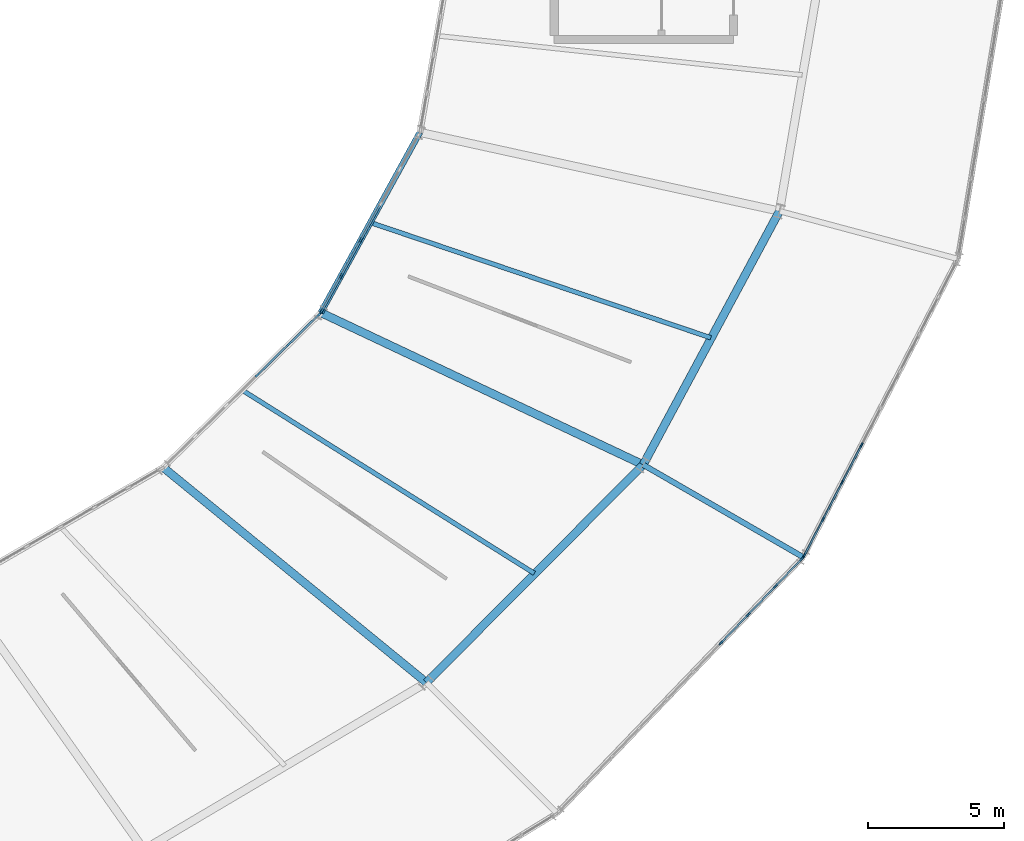
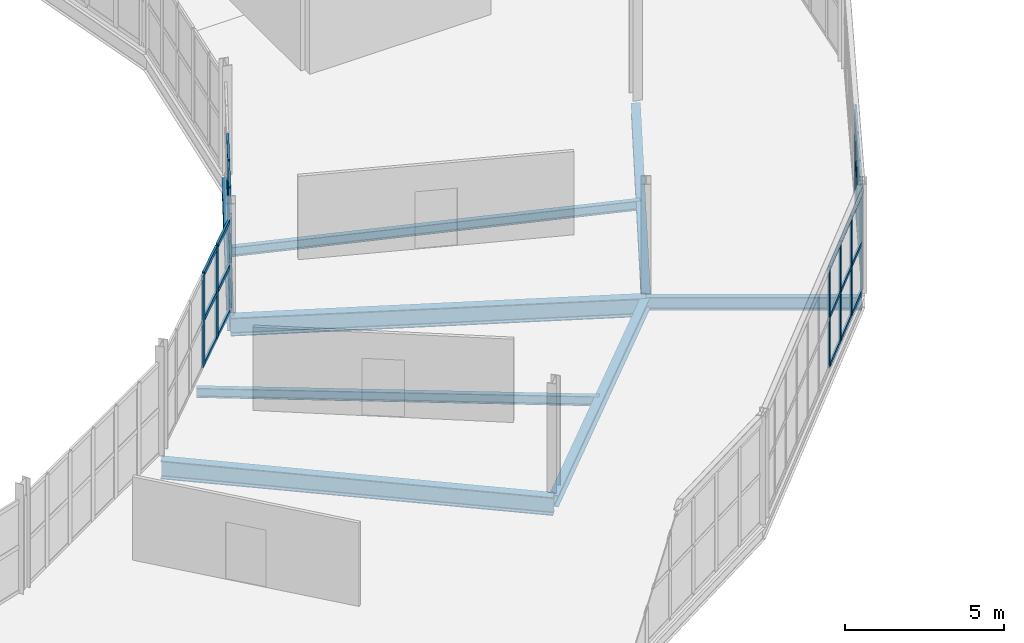
# One storey, part 78 of 161: 47 members, 8 beams, 4 elements without a shape of their own.
"""IFC4 building model written with IfcOpenShell, lengths in metres."""

import ifcopenshell
import ifcopenshell.guid

model = None  # the IFC model being written
_history = None  # IfcOwnerHistory: only IFC2X3 demands one
_inside = {}  # id of a spatial element -> (the spatial element, [elements in it])
_under = {}  # id of a project, library or spatial element -> (it, [spatial elements below it])
_declared = {}  # id of a project -> (the project, [libraries it declares])
_typed = {}  # id of a type object -> (the type object, [elements of that type])
_made_of = {}  # id of a material, layer set ... -> (it, [elements and type objects made of it])


def new_model(schema):
    """Start an empty IFC model of exactly this schema.

    Asked for "IFC4X3", IfcOpenShell would pick the latest addendum, in which some entities
    have other attributes; the version numbers below select the first issue.
    IFC2X3 requires an IfcOwnerHistory on every rooted entity: one is made here for all.
    """
    global model, _history
    if schema == "IFC4X3":
        model = ifcopenshell.file(schema_version=(4, 3, 0, 0))
    else:
        model = ifcopenshell.file(schema=schema)
    _inside.clear()
    _under.clear()
    _declared.clear()
    _typed.clear()
    _made_of.clear()
    _history = None
    if model.schema == "IFC2X3":
        org = make("IfcOrganization", Name="unknown")
        user = make(
            "IfcPersonAndOrganization",
            ThePerson=make("IfcPerson", FamilyName="unknown"),
            TheOrganization=org,
        )
        app = make(
            "IfcApplication",
            ApplicationDeveloper=org,
            Version="unknown",
            ApplicationFullName="unknown",
            ApplicationIdentifier="unknown",
        )
        _history = make(
            "IfcOwnerHistory",
            OwningUser=user,
            OwningApplication=app,
            ChangeAction="ADDED",
            CreationDate=0,
        )
    return model


def make(cls, **values):
    """One entity of the class cls with the attributes given. An attribute that is None is left unset."""
    return model.create_entity(
        cls, **{name: value for name, value in values.items() if value is not None}
    )


def rooted(cls, **values):
    """An entity with a GlobalId (a new one), such as an element, a storey or a relation."""
    return make(cls, GlobalId=ifcopenshell.guid.new(), OwnerHistory=_history, **values)


def si_unit(unit_type, name, prefix=None):
    """IfcSIUnit, for example si_unit("LENGTHUNIT", "METRE", prefix="MILLI")."""
    return make("IfcSIUnit", UnitType=unit_type, Prefix=prefix, Name=name)


def assignment(units):
    """IfcUnitAssignment: the units of a project."""
    return None if units is None else make("IfcUnitAssignment", Units=units)


def point(xyz):
    """IfcCartesianPoint."""
    return None if xyz is None else make("IfcCartesianPoint", Coordinates=xyz)


def direction(xyz):
    """IfcDirection."""
    return None if xyz is None else make("IfcDirection", DirectionRatios=xyz)


def frame(location, z_axis=None, x_axis=None):
    """IfcAxis2Placement3D, a coordinate frame: its origin and axes. An axis left out is left unset."""
    return make(
        "IfcAxis2Placement3D",
        Location=point(location),
        Axis=direction(z_axis),
        RefDirection=direction(x_axis),
    )


def frame_2d(location, x_axis=None):
    """IfcAxis2Placement2D, a coordinate frame in the plane: its origin and x axis."""
    return make(
        "IfcAxis2Placement2D", Location=point(location), RefDirection=direction(x_axis)
    )


def origin():
    """The frame at (0, 0, 0) with its axes left unset."""
    return frame((0.0, 0.0, 0.0))


def origin_2d():
    """The frame at (0, 0) in the plane with its x axis left unset."""
    return frame_2d((0.0, 0.0))


def place(relative_to, where):
    """IfcLocalPlacement: puts the frame where relative to a parent placement (None: the world)."""
    return make(
        "IfcLocalPlacement", PlacementRelTo=relative_to, RelativePlacement=where
    )


def context(
    kind, dimensions, precision=None, world=None, true_north=None, identifier=None
):
    """IfcGeometricRepresentationContext, for example the 3D "Model" context."""
    return make(
        "IfcGeometricRepresentationContext",
        ContextIdentifier=identifier,
        ContextType=kind,
        CoordinateSpaceDimension=dimensions,
        Precision=precision,
        WorldCoordinateSystem=world,
        TrueNorth=true_north,
    )


def subcontext(parent, identifier, kind, view, scale=None):
    """IfcGeometricRepresentationSubContext, for example "Body" below "Model"."""
    return make(
        "IfcGeometricRepresentationSubContext",
        ContextIdentifier=identifier,
        ContextType=kind,
        ParentContext=parent,
        TargetScale=scale,
        TargetView=view,
    )


def project(units=None, contexts=None):
    """IfcProject with its units and contexts."""
    return rooted(
        "IfcProject",
        Name="project",
        RepresentationContexts=contexts,
        UnitsInContext=assignment(units),
    )


def spatial(cls, under=None, at=None, **own):
    """A site, building, storey or space (cls), placed at a placement, below another one or the project."""
    s = rooted(cls, ObjectPlacement=at, **own)
    if under is not None:
        _under.setdefault(under.id(), (under, []))[1].append(s)
    return s


def profile(cls, at=None, kind="AREA", **sizes):
    """A parametric profile (cls). Its sizes go by their IFC names, for example OverallWidth=200.0."""
    return make(cls, ProfileType=kind, Position=at, **sizes)


def rectangle(**sizes):
    """IfcRectangleProfileDef."""
    return profile("IfcRectangleProfileDef", **sizes)


def i_section(**sizes):
    """IfcIShapeProfileDef."""
    return profile("IfcIShapeProfileDef", **sizes)


def extrude(swept, where, along, depth):
    """IfcExtrudedAreaSolid: the profile swept, set in the frame where, extruded along a direction by depth."""
    return make(
        "IfcExtrudedAreaSolid",
        SweptArea=swept,
        Position=where,
        ExtrudedDirection=direction(along),
        Depth=depth,
    )


def shape(context_of_items, identifier, shape_type, items):
    """IfcShapeRepresentation: the items that make up one representation, for example the "Body"."""
    return make(
        "IfcShapeRepresentation",
        ContextOfItems=context_of_items,
        RepresentationIdentifier=identifier,
        RepresentationType=shape_type,
        Items=items,
    )


def material(Name=None, Category=None):
    """IfcMaterial."""
    return make("IfcMaterial", Name=Name, Category=Category)


def material_profile(
    of_material, cross_section, Name=None, Category=None, Priority=None
):
    """IfcMaterialProfile: a cross section and its material."""
    return make(
        "IfcMaterialProfile",
        Name=Name,
        Material=of_material,
        Profile=cross_section,
        Priority=Priority,
        Category=Category,
    )


def profile_set(profiles, Name=None, composite=None):
    """IfcMaterialProfileSet."""
    return make(
        "IfcMaterialProfileSet",
        Name=Name,
        MaterialProfiles=profiles,
        CompositeProfile=composite,
    )


def made_of(thing, what):
    """Note that an element or type object is made of a material, layer set ...; save() writes the relation."""
    if what is not None:
        _made_of.setdefault(what.id(), (what, []))[1].append(thing)
    return thing


def type_object(cls, material=None, **own):
    """A type object (cls), such as IfcWallType, which elements share."""
    return made_of(rooted(cls, **own), material)


def element(
    cls,
    number,
    at=None,
    inside=None,
    cuts=None,
    type_object=None,
    material=None,
    context=None,
    identifier="Body",
    shape_type=None,
    held_by="IfcProductDefinitionShape",
    body=None,
    shapes=None,
    **own,
):
    """One element of the class cls, such as IfcWall. Its Tag is "e" and its number.

    at: its placement. inside: the storey or other place that contains it. cuts: it is an
    opening in that element (IfcRelVoidsElement). A single representation is given by context,
    identifier, shape_type and body (its items); several are given by shapes. held_by: the class
    of the entity that holds the representations. save() writes the other relations.
    """
    e = rooted(cls, Tag="e%d" % number, ObjectPlacement=at, **own)
    if body is not None:
        shapes = [shape(context, identifier, shape_type, body)]
    if shapes is not None:
        e.Representation = make(held_by, Representations=shapes)
    if inside is not None:
        _inside.setdefault(inside.id(), (inside, []))[1].append(e)
    if cuts is not None:
        rooted(
            "IfcRelVoidsElement", RelatingBuildingElement=cuts, RelatedOpeningElement=e
        )
    if type_object is not None:
        _typed.setdefault(type_object.id(), (type_object, []))[1].append(e)
    return made_of(e, material)


def aggregate(whole, parts):
    """IfcRelAggregates: a whole, such as a stair, and the parts it consists of."""
    return rooted("IfcRelAggregates", RelatingObject=whole, RelatedObjects=parts)


def save(model, path):
    """Write the relations noted so far, then the file.

    IfcRelAggregates (storeys below a building ...), IfcRelContainedInSpatialStructure (elements
    in a storey), IfcRelDefinesByType, IfcRelAssociatesMaterial and IfcRelDeclares: one each for
    every whole, place, type object, material and project.
    """
    for whole, parts in _under.values():
        aggregate(whole, parts)
    for where, things in _inside.values():
        rooted(
            "IfcRelContainedInSpatialStructure",
            RelatedElements=things,
            RelatingStructure=where,
        )
    for kind, things in _typed.values():
        rooted("IfcRelDefinesByType", RelatedObjects=things, RelatingType=kind)
    for what, things in _made_of.values():
        rooted("IfcRelAssociatesMaterial", RelatedObjects=things, RelatingMaterial=what)
    for by, libraries in _declared.values():
        rooted("IfcRelDeclares", RelatingContext=by, RelatedDefinitions=libraries)
    model.write(path)


model = new_model("IFC4")

# Units and contexts
model_context = context("Model", 3, precision=1e-05, world=origin(), true_north=direction((0.0, 1.0)))
body_context = subcontext(model_context, "Body", "Model", "MODEL_VIEW")
ifc_project = project(units=[si_unit("LENGTHUNIT", "METRE"), si_unit("AREAUNIT", "SQUARE_METRE"), si_unit("VOLUMEUNIT", "CUBIC_METRE"), si_unit("PLANEANGLEUNIT", "RADIAN"), si_unit("MASSUNIT", "GRAM", prefix="KILO")], contexts=[model_context])

# Site, building, storey
site_placement = place(None, origin())
site = spatial("IfcSite", under=ifc_project, at=site_placement, CompositionType="ELEMENT")
building_placement = place(site_placement, origin())
building = spatial("IfcBuilding", under=site, at=building_placement, Name="Kildeholm Park Wholesale Market", CompositionType="ELEMENT")
storey_placement = place(building_placement, frame((0.0, 0.0, 5.39990234375)))
storey = spatial("IfcBuildingStorey", under=building, at=storey_placement, Name="L01", CompositionType="ELEMENT", Elevation=5.39990234375)

# Beams
ifc_material_1 = material(Name="Steel S355", Category="steel")
ifc_material_profile_1 = material_profile(ifc_material_1, i_section(OverallWidth=0.300048828125, OverallDepth=0.699951171875, WebThickness=0.01708984375, FlangeThickness=0.031982421875, FilletRadius=0.027099609375, at=origin_2d()), Name="HEB 700")
ifc_profile_set_1 = profile_set([ifc_material_profile_1], Name="Steel S355")
beam_type_1 = type_object("IfcBeamType", Name="Beam B-G01 HEB 700", PredefinedType="BEAM", material=ifc_profile_set_1)
beam_1_placement = place(storey_placement, frame((124.80908203125, 70.054931640625, -0.599853515625), z_axis=(0.774216280002, -0.632921126034, 0.0), x_axis=(0.632921126034, 0.774216280002, 0.0)))
element("IfcBeam", 1, at=beam_1_placement, inside=storey, type_object=beam_type_1, Name="Beam BM-V1-L01-R1-21 BM-0191", PredefinedType="BEAM", context=body_context, shape_type="SweptSolid", body=[
    extrude(i_section(OverallWidth=0.300048828125, OverallDepth=0.699951171875, WebThickness=0.01708984375, FlangeThickness=0.031982421875, FilletRadius=0.027099609375, at=origin_2d()), origin(), (0.0, 0.0, 1.0), 12.51318359375),
])
beam_2_placement = place(storey_placement, frame((130.610107421875, 75.75, -0.599853515625), z_axis=(0.904317894242, -0.426859632846, 0.0), x_axis=(0.426859632846, 0.904317894242, 0.0)))
element("IfcBeam", 2, at=beam_2_placement, inside=storey, type_object=beam_type_1, Name="Beam BM-V1-L01-R1-22 BM-0200", PredefinedType="BEAM", context=body_context, shape_type="SweptSolid", body=[
    extrude(i_section(OverallWidth=0.300048828125, OverallDepth=0.699951171875, WebThickness=0.01708984375, FlangeThickness=0.031982421875, FilletRadius=0.027099609375, at=origin_2d()), origin(), (0.0, 0.0, 1.0), 13.119384765625),
])
ifc_material_profile_2 = material_profile(ifc_material_1, i_section(OverallWidth=0.199951171875, OverallDepth=0.5, WebThickness=0.01025390625, FlangeThickness=0.01611328125, FilletRadius=0.02099609375, at=origin_2d()), Name="IPE 500")
ifc_profile_set_2 = profile_set([ifc_material_profile_2], Name="Steel S355")
beam_type_2 = type_object("IfcBeamType", Name="Beam B-P03 IPE 500", PredefinedType="BEAM", material=ifc_profile_set_2)
beam_3_placement = place(storey_placement, frame((142.47412109375, 70.14990234375, -0.5), z_axis=(0.866029536736, -0.499992841449, 0.0), x_axis=(0.499992841449, 0.866029536736, 0.0)))
element("IfcBeam", 3, at=beam_3_placement, inside=storey, type_object=beam_type_2, Name="Beam BM-V1-L01-R2-22 BM-0202", PredefinedType="BEAM", context=body_context, shape_type="SweptSolid", body=[
    extrude(i_section(OverallWidth=0.199951171875, OverallDepth=0.5, WebThickness=0.01025390625, FlangeThickness=0.01611328125, FilletRadius=0.02099609375, at=origin_2d()), origin(), (0.0, 0.0, 1.0), 6.7998046875),
])
ifc_material_profile_3 = material_profile(ifc_material_1, i_section(OverallWidth=0.219970703125, OverallDepth=0.60009765625, WebThickness=0.011962890625, FlangeThickness=0.01904296875, FilletRadius=0.02392578125, at=origin_2d()), Name="IPE 600")
ifc_profile_set_3 = profile_set([ifc_material_profile_3], Name="Steel S355")
beam_type_3 = type_object("IfcBeamType", Name="Beam B-P04 IPE 600", PredefinedType="BEAM", material=ifc_profile_set_3)
beam_4_placement = place(storey_placement, frame((130.610107421875, 75.75, -0.5498046875), z_axis=(0.481751565348, 0.876307839338, 0.0), x_axis=(-0.876307839338, 0.481751565348, 0.0)))
element("IfcBeam", 4, at=beam_4_placement, inside=storey, type_object=beam_type_3, Name="Beam BM-V1-L01-CI-22 BM-0203", PredefinedType="BEAM", context=body_context, shape_type="SweptSolid", body=[
    extrude(i_section(OverallWidth=0.219970703125, OverallDepth=0.60009765625, WebThickness=0.011962890625, FlangeThickness=0.01904296875, FilletRadius=0.02392578125, at=origin_2d()), origin(), (0.0, 0.0, 1.0), 7.568115234375),
])
ifc_material_profile_4 = material_profile(ifc_material_1, i_section(OverallWidth=0.300048828125, OverallDepth=0.43994140625, WebThickness=0.011474609375, FlangeThickness=0.02099609375, FilletRadius=0.027099609375, at=origin_2d()), Name="HEA 450")
ifc_profile_set_4 = profile_set([ifc_material_profile_4], Name="Steel S355")
beam_type_4 = type_object("IfcBeamType", Name="Beam B-R02 HEA 450", PredefinedType="BEAM", material=ifc_profile_set_4)
beam_5_placement = place(storey_placement, frame((134.4970703125, 62.135009765625, -0.469970703125), z_axis=(0.705431576708, 0.708778026313, 0.0), x_axis=(-0.708778026313, 0.705431576708, 0.0)))
element("IfcBeam", 5, at=beam_5_placement, inside=storey, type_object=beam_type_4, Name="Beam BM-V1-L01-CM-21 BM-0195", PredefinedType="BEAM", context=body_context, shape_type="SweptSolid", body=[
    extrude(i_section(OverallWidth=0.300048828125, OverallDepth=0.43994140625, WebThickness=0.011474609375, FlangeThickness=0.02099609375, FilletRadius=0.027099609375, at=origin_2d()), origin(), (0.0, 0.0, 1.0), 11.30810546875),
])
beam_6_placement = place(storey_placement, frame((142.47412109375, 70.14990234375, -0.469970703125), z_axis=(0.473287580572, 0.880907978211, 0.0), x_axis=(-0.880907978211, 0.473287580572, 0.0)))
element("IfcBeam", 6, at=beam_6_placement, inside=storey, type_object=beam_type_4, Name="Beam BM-V1-L01-CM-22 BM-0204", PredefinedType="BEAM", context=body_context, shape_type="SweptSolid", body=[
    extrude(i_section(OverallWidth=0.300048828125, OverallDepth=0.43994140625, WebThickness=0.011474609375, FlangeThickness=0.02099609375, FilletRadius=0.027099609375, at=origin_2d()), origin(), (0.0, 0.0, 1.0), 10.595947265625),
])
ifc_material_profile_5 = material_profile(ifc_material_1, i_section(OverallWidth=0.169921875, OverallDepth=0.360107421875, WebThickness=0.008056640625, FlangeThickness=0.0126953125, FilletRadius=0.01806640625, at=origin_2d()), Name="IPE 360")
ifc_profile_set_5 = profile_set([ifc_material_profile_5], Name="Steel S355")
beam_type_5 = type_object("IfcBeamType", Name="Beam J-04 IPE 360", PredefinedType="JOIST", material=ifc_profile_set_5)
beam_7_placement = place(storey_placement, frame((127.726318359375, 72.891845703125, -0.429931640625), z_axis=(0.847114536958, -0.531410351116, 0.0), x_axis=(0.531410351116, 0.847114536958, 0.0)))
element("IfcBeam", 7, at=beam_7_placement, inside=storey, type_object=beam_type_5, Name="Beam JT-V1-L01-21 BM-0199", PredefinedType="JOIST", context=body_context, shape_type="SweptSolid", body=[
    extrude(i_section(OverallWidth=0.169921875, OverallDepth=0.360107421875, WebThickness=0.008056640625, FlangeThickness=0.0126953125, FilletRadius=0.01806640625, at=origin_2d()), origin(), (0.0, 0.0, 1.0), 12.680908203125),
])
beam_8_placement = place(storey_placement, frame((132.451904296875, 79.0595703125, -0.429931640625), z_axis=(0.947177362485, -0.320710218103, 0.0), x_axis=(0.320710218103, 0.947177362485, 0.0)))
element("IfcBeam", 8, at=beam_8_placement, inside=storey, type_object=beam_type_5, Name="Beam JT-V1-L01-22 BM-0208", PredefinedType="JOIST", context=body_context, shape_type="SweptSolid", body=[
    extrude(i_section(OverallWidth=0.169921875, OverallDepth=0.360107421875, WebThickness=0.008056640625, FlangeThickness=0.0126953125, FilletRadius=0.01806640625, at=origin_2d()), origin(), (0.0, 0.0, 1.0), 13.20849609375),
])

# Curtain wall, members
ifc_material_2 = material(Name="Anodised aluminium and low-E double-glazed glass", Category="aluminium")
curtain_wall_type = type_object("IfcCurtainWallType", Name="Market hall glazed arcade stick curtain wall CW-01", PredefinedType="NOTDEFINED", material=ifc_material_2)
curtain_wall_1_placement = place(storey_placement, origin())
curtain_wall_1 = element("IfcCurtainWall", 9, at=curtain_wall_1_placement, inside=storey, type_object=curtain_wall_type, Name="Curtain wall CW-V1-OT-21-1 CW-0104", PredefinedType="NOTDEFINED")
ifc_material_3 = material(Name="Anodised aluminium", Category="aluminium")
ifc_material_profile_6 = material_profile(ifc_material_3, rectangle(XDim=0.06494140625, YDim=0.179931640625, at=origin_2d()), Name="CWM 65x180")
ifc_profile_set_6 = profile_set([ifc_material_profile_6], Name="Anodised aluminium")
member_type_1 = type_object("IfcMemberType", Name="Curtain-wall mullion CWM-1 CWM 65x180", PredefinedType="MULLION", material=ifc_profile_set_6)
member_1_placement = place(storey_placement, frame((145.339599609375, 63.595947265625, 0.0), z_axis=(0.0, 0.0, 1.0), x_axis=(-0.720901097951, 0.69303795493, 0.0)))
member_1 = element("IfcMember", 10, at=member_1_placement, type_object=member_type_1, Name="CW-01 mullion 7 MEM-3275", PredefinedType="MULLION", context=body_context, shape_type="SweptSolid", body=[
    extrude(rectangle(XDim=0.06494140625, YDim=0.179931640625, at=origin_2d()), origin(), (0.0, 0.0, 1.0), 3.800048828125),
])
member_2_placement = place(storey_placement, frame((146.340087890625, 64.63671875, 0.0), z_axis=(0.0, 0.0, 1.0), x_axis=(-0.720901097951, 0.69303795493, 0.0)))
member_2 = element("IfcMember", 11, at=member_2_placement, type_object=member_type_1, Name="CW-01 mullion 8 MEM-3276", PredefinedType="MULLION", context=body_context, shape_type="SweptSolid", body=[
    extrude(rectangle(XDim=0.06494140625, YDim=0.179931640625, at=origin_2d()), origin(), (0.0, 0.0, 1.0), 3.800048828125),
])
member_3_placement = place(storey_placement, frame((147.340576171875, 65.67724609375, 0.0), z_axis=(0.0, 0.0, 1.0), x_axis=(-0.720901097951, 0.69303795493, 0.0)))
member_3 = element("IfcMember", 12, at=member_3_placement, type_object=member_type_1, Name="CW-01 mullion 9 MEM-3277", PredefinedType="MULLION", context=body_context, shape_type="SweptSolid", body=[
    extrude(rectangle(XDim=0.06494140625, YDim=0.179931640625, at=origin_2d()), origin(), (0.0, 0.0, 1.0), 3.800048828125),
])
member_4_placement = place(storey_placement, frame((148.318359375, 66.694580078125, 0.0), z_axis=(0.0, 0.0, 1.0), x_axis=(-0.720901097951, 0.69303795493, 0.0)))
member_4 = element("IfcMember", 13, at=member_4_placement, type_object=member_type_1, Name="CW-01 mullion 10 MEM-3278", PredefinedType="MULLION", context=body_context, shape_type="SweptSolid", body=[
    extrude(rectangle(XDim=0.06494140625, YDim=0.179931640625, at=origin_2d()), origin(), (0.0, 0.0, 1.0), 3.800048828125),
])

curtain_wall_2_placement = place(storey_placement, origin())
curtain_wall_2 = element("IfcCurtainWall", 14, at=curtain_wall_2_placement, inside=storey, type_object=curtain_wall_type, Name="Curtain wall CW-V1-OT-22-1 CW-0109", PredefinedType="NOTDEFINED")
member_5_placement = place(storey_placement, frame((148.403076171875, 66.811767578125, 0.0), z_axis=(0.0, 0.0, 1.0), x_axis=(-0.88765224586, 0.460514375909, 0.0)))
member_5 = element("IfcMember", 15, at=member_5_placement, type_object=member_type_1, Name="CW-01 mullion 1 MEM-3398", PredefinedType="MULLION", context=body_context, shape_type="SweptSolid", body=[
    extrude(rectangle(XDim=0.06494140625, YDim=0.179931640625, at=origin_2d()), origin(), (0.0, 0.0, 1.0), 3.800048828125),
])
member_6_placement = place(storey_placement, frame((149.09521484375, 68.14599609375, 0.0), z_axis=(0.0, 0.0, 1.0), x_axis=(-0.88765224586, 0.460514375909, 0.0)))
member_6 = element("IfcMember", 16, at=member_6_placement, type_object=member_type_1, Name="CW-01 mullion 2 MEM-3399", PredefinedType="MULLION", context=body_context, shape_type="SweptSolid", body=[
    extrude(rectangle(XDim=0.06494140625, YDim=0.179931640625, at=origin_2d()), origin(), (0.0, 0.0, 1.0), 3.800048828125),
])
member_7_placement = place(storey_placement, frame((149.80224609375, 69.509033203125, 0.0), z_axis=(0.0, 0.0, 1.0), x_axis=(-0.88765224586, 0.460514375909, 0.0)))
member_7 = element("IfcMember", 17, at=member_7_placement, type_object=member_type_1, Name="CW-01 mullion 3 MEM-3400", PredefinedType="MULLION", context=body_context, shape_type="SweptSolid", body=[
    extrude(rectangle(XDim=0.06494140625, YDim=0.179931640625, at=origin_2d()), origin(), (0.0, 0.0, 1.0), 3.800048828125),
])
member_8_placement = place(storey_placement, frame((150.50927734375, 70.8720703125, 0.0), z_axis=(0.0, 0.0, 1.0), x_axis=(-0.88765224586, 0.460514375909, 0.0)))
member_8 = element("IfcMember", 18, at=member_8_placement, type_object=member_type_1, Name="CW-01 mullion 4 MEM-3401", PredefinedType="MULLION", context=body_context, shape_type="SweptSolid", body=[
    extrude(rectangle(XDim=0.06494140625, YDim=0.179931640625, at=origin_2d()), origin(), (0.0, 0.0, 1.0), 3.800048828125),
])

curtain_wall_3_placement = place(storey_placement, origin())
curtain_wall_3 = element("IfcCurtainWall", 19, at=curtain_wall_3_placement, inside=storey, type_object=curtain_wall_type, Name="Curtain wall CW-V1-IN1-21 CW-0107", PredefinedType="NOTDEFINED")
ifc_material_profile_7 = material_profile(ifc_material_3, rectangle(XDim=0.074951171875, YDim=0.219970703125, at=origin_2d()), Name="CWM 75x220")
ifc_profile_set_7 = profile_set([ifc_material_profile_7], Name="Anodised aluminium")
member_type_2 = type_object("IfcMemberType", Name="Curtain-wall mullion CWM-2 CWM 75x220", PredefinedType="MULLION", material=ifc_profile_set_7)
member_9_placement = place(storey_placement, frame((128.288818359375, 73.46337890625, 0.0), z_axis=(0.0, 0.0, 1.0), x_axis=(-0.700616534607, 0.713537995789, 0.0)))
member_9 = element("IfcMember", 20, at=member_9_placement, type_object=member_type_2, Name="CW-01 mullion 4 MEM-3359", PredefinedType="MULLION", context=body_context, shape_type="SweptSolid", body=[
    extrude(rectangle(XDim=0.074951171875, YDim=0.219970703125, at=origin_2d()), origin(), (0.0, 0.0, 1.0), 3.550048828125),
])
member_10_placement = place(storey_placement, frame((129.4375, 74.59130859375, 0.0), z_axis=(0.0, 0.0, 1.0), x_axis=(-0.700616534607, 0.713537995789, 0.0)))
member_10 = element("IfcMember", 21, at=member_10_placement, type_object=member_type_2, Name="CW-01 mullion 5 MEM-3360", PredefinedType="MULLION", context=body_context, shape_type="SweptSolid", body=[
    extrude(rectangle(XDim=0.074951171875, YDim=0.219970703125, at=origin_2d()), origin(), (0.0, 0.0, 1.0), 3.550048828125),
])
member_11_placement = place(storey_placement, frame((130.559326171875, 75.692626953125, 0.0), z_axis=(0.0, 0.0, 1.0), x_axis=(-0.700616534607, 0.713537995789, 0.0)))
member_11 = element("IfcMember", 22, at=member_11_placement, type_object=member_type_2, Name="CW-01 mullion 6 MEM-3361", PredefinedType="MULLION", context=body_context, shape_type="SweptSolid", body=[
    extrude(rectangle(XDim=0.074951171875, YDim=0.219970703125, at=origin_2d()), origin(), (0.0, 0.0, 1.0), 3.550048828125),
])

curtain_wall_4_placement = place(storey_placement, origin())
curtain_wall_4 = element("IfcCurtainWall", 23, at=curtain_wall_4_placement, inside=storey, type_object=curtain_wall_type, Name="Curtain wall CW-V1-IN1-22 CW-0112", PredefinedType="NOTDEFINED")
member_12_placement = place(storey_placement, frame((130.653076171875, 75.81591796875, 0.0), z_axis=(0.0, 0.0, 1.0), x_axis=(-0.876308922506, 0.481749595055, 0.0)))
member_12 = element("IfcMember", 24, at=member_12_placement, type_object=member_type_2, Name="CW-01 mullion 1 MEM-3481", PredefinedType="MULLION", context=body_context, shape_type="SweptSolid", body=[
    extrude(rectangle(XDim=0.074951171875, YDim=0.219970703125, at=origin_2d()), origin(), (0.0, 0.0, 1.0), 3.550048828125),
])
member_13_placement = place(storey_placement, frame((131.356689453125, 77.095703125, 0.0), z_axis=(0.0, 0.0, 1.0), x_axis=(-0.876308922506, 0.481749595055, 0.0)))
member_13 = element("IfcMember", 25, at=member_13_placement, type_object=member_type_2, Name="CW-01 mullion 2 MEM-3482", PredefinedType="MULLION", context=body_context, shape_type="SweptSolid", body=[
    extrude(rectangle(XDim=0.074951171875, YDim=0.219970703125, at=origin_2d()), origin(), (0.0, 0.0, 1.0), 3.550048828125),
])
member_14_placement = place(storey_placement, frame((132.078125, 78.408203125, 0.0), z_axis=(0.0, 0.0, 1.0), x_axis=(-0.876308922506, 0.481749595055, 0.0)))
member_14 = element("IfcMember", 26, at=member_14_placement, type_object=member_type_2, Name="CW-01 mullion 3 MEM-3483", PredefinedType="MULLION", context=body_context, shape_type="SweptSolid", body=[
    extrude(rectangle(XDim=0.074951171875, YDim=0.219970703125, at=origin_2d()), origin(), (0.0, 0.0, 1.0), 3.550048828125),
])

# Member
ifc_material_profile_8 = material_profile(ifc_material_3, rectangle(XDim=0.06494140625, YDim=0.139892578125, at=origin_2d()), Name="CWT 65x140")
ifc_profile_set_8 = profile_set([ifc_material_profile_8], Name="Anodised aluminium")
member_type_3 = type_object("IfcMemberType", Name="Curtain-wall transom CWT-1 CWT 65x140", PredefinedType="USERDEFINED", material=ifc_profile_set_8)
member_15_placement = place(storey_placement, frame((145.3623046875, 63.619384765625, 0.03271484375), z_axis=(0.692977754297, 0.720958966967, 0.0), x_axis=(-0.720958966967, 0.692977754297, 0.0)))
member_15 = element("IfcMember", 27, at=member_15_placement, type_object=member_type_3, Name="CW-01 transom 7.1 MEM-3297", ObjectType="TRANSOM", PredefinedType="USERDEFINED", context=body_context, shape_type="SweptSolid", body=[
    extrude(rectangle(XDim=0.06494140625, YDim=0.139892578125, at=origin_2d()), origin(), (0.0, 0.0, 1.0), 1.378662109375),
])

member_16_placement = place(storey_placement, frame((145.3623046875, 63.619384765625, 1.900146484375), z_axis=(0.692977754297, 0.720958966967, 0.0), x_axis=(-0.720958966967, 0.692977754297, 0.0)))
member_16 = element("IfcMember", 28, at=member_16_placement, type_object=member_type_3, Name="CW-01 transom 7.2 MEM-3298", ObjectType="TRANSOM", PredefinedType="USERDEFINED", context=body_context, shape_type="SweptSolid", body=[
    extrude(rectangle(XDim=0.06494140625, YDim=0.139892578125, at=origin_2d()), origin(), (0.0, 0.0, 1.0), 1.378662109375),
])

member_17_placement = place(storey_placement, frame((145.3623046875, 63.619384765625, 3.767578125), z_axis=(0.692977754297, 0.720958966967, 0.0), x_axis=(-0.720958966967, 0.692977754297, 0.0)))
member_17 = element("IfcMember", 29, at=member_17_placement, type_object=member_type_3, Name="CW-01 transom 7.3 MEM-3299", ObjectType="TRANSOM", PredefinedType="USERDEFINED", context=body_context, shape_type="SweptSolid", body=[
    extrude(rectangle(XDim=0.06494140625, YDim=0.139892578125, at=origin_2d()), origin(), (0.0, 0.0, 1.0), 1.378662109375),
])

member_18_placement = place(storey_placement, frame((146.362548828125, 64.66015625, 0.03271484375), z_axis=(0.693158263703, 0.720785419844, 0.0), x_axis=(-0.720785419844, 0.693158263703, 0.0)))
member_18 = element("IfcMember", 30, at=member_18_placement, type_object=member_type_3, Name="CW-01 transom 8.1 MEM-3300", ObjectType="TRANSOM", PredefinedType="USERDEFINED", context=body_context, shape_type="SweptSolid", body=[
    extrude(rectangle(XDim=0.06494140625, YDim=0.139892578125, at=origin_2d()), origin(), (0.0, 0.0, 1.0), 1.378662109375),
])

member_19_placement = place(storey_placement, frame((146.362548828125, 64.66015625, 1.900146484375), z_axis=(0.693158263703, 0.720785419844, 0.0), x_axis=(-0.720785419844, 0.693158263703, 0.0)))
member_19 = element("IfcMember", 31, at=member_19_placement, type_object=member_type_3, Name="CW-01 transom 8.2 MEM-3301", ObjectType="TRANSOM", PredefinedType="USERDEFINED", context=body_context, shape_type="SweptSolid", body=[
    extrude(rectangle(XDim=0.06494140625, YDim=0.139892578125, at=origin_2d()), origin(), (0.0, 0.0, 1.0), 1.378662109375),
])

member_20_placement = place(storey_placement, frame((146.362548828125, 64.66015625, 3.767578125), z_axis=(0.693158263703, 0.720785419844, 0.0), x_axis=(-0.720785419844, 0.693158263703, 0.0)))
member_20 = element("IfcMember", 32, at=member_20_placement, type_object=member_type_3, Name="CW-01 transom 8.3 MEM-3302", ObjectType="TRANSOM", PredefinedType="USERDEFINED", context=body_context, shape_type="SweptSolid", body=[
    extrude(rectangle(XDim=0.06494140625, YDim=0.139892578125, at=origin_2d()), origin(), (0.0, 0.0, 1.0), 1.378662109375),
])

member_21_placement = place(storey_placement, frame((147.363037109375, 65.70068359375, 0.03271484375), z_axis=(0.693003596834, 0.720934126516, 0.0), x_axis=(-0.720934126516, 0.693003596834, 0.0)))
member_21 = element("IfcMember", 33, at=member_21_placement, type_object=member_type_3, Name="CW-01 transom 9.1 MEM-3303", ObjectType="TRANSOM", PredefinedType="USERDEFINED", context=body_context, shape_type="SweptSolid", body=[
    extrude(rectangle(XDim=0.06494140625, YDim=0.139892578125, at=origin_2d()), origin(), (0.0, 0.0, 1.0), 1.34619140625),
])

member_22_placement = place(storey_placement, frame((147.363037109375, 65.70068359375, 1.900146484375), z_axis=(0.693003596834, 0.720934126516, 0.0), x_axis=(-0.720934126516, 0.693003596834, 0.0)))
member_22 = element("IfcMember", 34, at=member_22_placement, type_object=member_type_3, Name="CW-01 transom 9.2 MEM-3304", ObjectType="TRANSOM", PredefinedType="USERDEFINED", context=body_context, shape_type="SweptSolid", body=[
    extrude(rectangle(XDim=0.06494140625, YDim=0.139892578125, at=origin_2d()), origin(), (0.0, 0.0, 1.0), 1.34619140625),
])

member_23_placement = place(storey_placement, frame((147.363037109375, 65.70068359375, 3.767578125), z_axis=(0.693003596834, 0.720934126516, 0.0), x_axis=(-0.720934126516, 0.693003596834, 0.0)))
member_23 = element("IfcMember", 35, at=member_23_placement, type_object=member_type_3, Name="CW-01 transom 9.3 MEM-3305", ObjectType="TRANSOM", PredefinedType="USERDEFINED", context=body_context, shape_type="SweptSolid", body=[
    extrude(rectangle(XDim=0.06494140625, YDim=0.139892578125, at=origin_2d()), origin(), (0.0, 0.0, 1.0), 1.34619140625),
])

aggregate(curtain_wall_1, [member_1, member_2, member_3, member_4, member_15, member_16, member_17, member_18, member_19, member_20, member_21, member_22, member_23])

member_24_placement = place(storey_placement, frame((148.41796875, 66.840576171875, 0.03271484375), z_axis=(0.460406358293, 0.887708277107, 0.0), x_axis=(-0.887708277107, 0.460406358293, 0.0)))
member_24 = element("IfcMember", 36, at=member_24_placement, type_object=member_type_3, Name="CW-01 transom 1.1 MEM-3407", ObjectType="TRANSOM", PredefinedType="USERDEFINED", context=body_context, shape_type="SweptSolid", body=[
    extrude(rectangle(XDim=0.06494140625, YDim=0.139892578125, at=origin_2d()), origin(), (0.0, 0.0, 1.0), 1.43798828125),
])

member_25_placement = place(storey_placement, frame((148.41796875, 66.840576171875, 1.900146484375), z_axis=(0.460406358293, 0.887708277107, 0.0), x_axis=(-0.887708277107, 0.460406358293, 0.0)))
member_25 = element("IfcMember", 37, at=member_25_placement, type_object=member_type_3, Name="CW-01 transom 1.2 MEM-3408", ObjectType="TRANSOM", PredefinedType="USERDEFINED", context=body_context, shape_type="SweptSolid", body=[
    extrude(rectangle(XDim=0.06494140625, YDim=0.139892578125, at=origin_2d()), origin(), (0.0, 0.0, 1.0), 1.43798828125),
])

member_26_placement = place(storey_placement, frame((148.41796875, 66.840576171875, 3.767578125), z_axis=(0.460406358293, 0.887708277107, 0.0), x_axis=(-0.887708277107, 0.460406358293, 0.0)))
member_26 = element("IfcMember", 38, at=member_26_placement, type_object=member_type_3, Name="CW-01 transom 1.3 MEM-3409", ObjectType="TRANSOM", PredefinedType="USERDEFINED", context=body_context, shape_type="SweptSolid", body=[
    extrude(rectangle(XDim=0.06494140625, YDim=0.139892578125, at=origin_2d()), origin(), (0.0, 0.0, 1.0), 1.43798828125),
])

member_27_placement = place(storey_placement, frame((149.110107421875, 68.1748046875, 0.03271484375), z_axis=(0.460510981056, 0.887654007104, 0.0), x_axis=(-0.887654007104, 0.460510981056, 0.0)))
member_27 = element("IfcMember", 39, at=member_27_placement, type_object=member_type_3, Name="CW-01 transom 2.1 MEM-3410", ObjectType="TRANSOM", PredefinedType="USERDEFINED", context=body_context, shape_type="SweptSolid", body=[
    extrude(rectangle(XDim=0.06494140625, YDim=0.139892578125, at=origin_2d()), origin(), (0.0, 0.0, 1.0), 1.470703125),
])

member_28_placement = place(storey_placement, frame((149.110107421875, 68.1748046875, 1.900146484375), z_axis=(0.460510981056, 0.887654007104, 0.0), x_axis=(-0.887654007104, 0.460510981056, 0.0)))
member_28 = element("IfcMember", 40, at=member_28_placement, type_object=member_type_3, Name="CW-01 transom 2.2 MEM-3411", ObjectType="TRANSOM", PredefinedType="USERDEFINED", context=body_context, shape_type="SweptSolid", body=[
    extrude(rectangle(XDim=0.06494140625, YDim=0.139892578125, at=origin_2d()), origin(), (0.0, 0.0, 1.0), 1.470703125),
])

member_29_placement = place(storey_placement, frame((149.110107421875, 68.1748046875, 3.767578125), z_axis=(0.460510981056, 0.887654007104, 0.0), x_axis=(-0.887654007104, 0.460510981056, 0.0)))
member_29 = element("IfcMember", 41, at=member_29_placement, type_object=member_type_3, Name="CW-01 transom 2.3 MEM-3412", ObjectType="TRANSOM", PredefinedType="USERDEFINED", context=body_context, shape_type="SweptSolid", body=[
    extrude(rectangle(XDim=0.06494140625, YDim=0.139892578125, at=origin_2d()), origin(), (0.0, 0.0, 1.0), 1.470703125),
])

member_30_placement = place(storey_placement, frame((149.817138671875, 69.537841796875, 0.03271484375), z_axis=(0.460510981056, 0.887654007104, 0.0), x_axis=(-0.887654007104, 0.460510981056, 0.0)))
member_30 = element("IfcMember", 42, at=member_30_placement, type_object=member_type_3, Name="CW-01 transom 3.1 MEM-3413", ObjectType="TRANSOM", PredefinedType="USERDEFINED", context=body_context, shape_type="SweptSolid", body=[
    extrude(rectangle(XDim=0.06494140625, YDim=0.139892578125, at=origin_2d()), origin(), (0.0, 0.0, 1.0), 1.470703125),
])

member_31_placement = place(storey_placement, frame((149.817138671875, 69.537841796875, 1.900146484375), z_axis=(0.460510981056, 0.887654007104, 0.0), x_axis=(-0.887654007104, 0.460510981056, 0.0)))
member_31 = element("IfcMember", 43, at=member_31_placement, type_object=member_type_3, Name="CW-01 transom 3.2 MEM-3414", ObjectType="TRANSOM", PredefinedType="USERDEFINED", context=body_context, shape_type="SweptSolid", body=[
    extrude(rectangle(XDim=0.06494140625, YDim=0.139892578125, at=origin_2d()), origin(), (0.0, 0.0, 1.0), 1.470703125),
])

member_32_placement = place(storey_placement, frame((149.817138671875, 69.537841796875, 3.767578125), z_axis=(0.460510981056, 0.887654007104, 0.0), x_axis=(-0.887654007104, 0.460510981056, 0.0)))
member_32 = element("IfcMember", 44, at=member_32_placement, type_object=member_type_3, Name="CW-01 transom 3.3 MEM-3415", ObjectType="TRANSOM", PredefinedType="USERDEFINED", context=body_context, shape_type="SweptSolid", body=[
    extrude(rectangle(XDim=0.06494140625, YDim=0.139892578125, at=origin_2d()), origin(), (0.0, 0.0, 1.0), 1.470703125),
])

aggregate(curtain_wall_2, [member_5, member_6, member_7, member_8, member_24, member_25, member_26, member_27, member_28, member_29, member_30, member_31, member_32])

ifc_material_profile_9 = material_profile(ifc_material_3, rectangle(XDim=0.074951171875, YDim=0.159912109375, at=origin_2d()), Name="CWT 75x160")
ifc_profile_set_9 = profile_set([ifc_material_profile_9], Name="Anodised aluminium")
member_type_4 = type_object("IfcMemberType", Name="Curtain-wall transom CWT-2 CWT 75x160", PredefinedType="USERDEFINED", material=ifc_profile_set_9)
member_33_placement = place(storey_placement, frame((128.315673828125, 73.48974609375, 0.03759765625), z_axis=(0.713520588004, 0.700634263003, 0.0), x_axis=(-0.700634263003, 0.713520588004, 0.0)))
member_33 = element("IfcMember", 45, at=member_33_placement, type_object=member_type_4, Name="CW-01 transom 4.1 MEM-3371", ObjectType="TRANSOM", PredefinedType="USERDEFINED", context=body_context, shape_type="SweptSolid", body=[
    extrude(rectangle(XDim=0.074951171875, YDim=0.159912109375, at=origin_2d()), origin(), (0.0, 0.0, 1.0), 1.53466796875),
])

member_34_placement = place(storey_placement, frame((128.315673828125, 73.48974609375, 1.775146484375), z_axis=(0.713520588004, 0.700634263003, 0.0), x_axis=(-0.700634263003, 0.713520588004, 0.0)))
member_34 = element("IfcMember", 46, at=member_34_placement, type_object=member_type_4, Name="CW-01 transom 4.2 MEM-3372", ObjectType="TRANSOM", PredefinedType="USERDEFINED", context=body_context, shape_type="SweptSolid", body=[
    extrude(rectangle(XDim=0.074951171875, YDim=0.159912109375, at=origin_2d()), origin(), (0.0, 0.0, 1.0), 1.53466796875),
])

member_35_placement = place(storey_placement, frame((128.315673828125, 73.48974609375, 3.5126953125), z_axis=(0.713520588004, 0.700634263003, 0.0), x_axis=(-0.700634263003, 0.713520588004, 0.0)))
member_35 = element("IfcMember", 47, at=member_35_placement, type_object=member_type_4, Name="CW-01 transom 4.3 MEM-3373", ObjectType="TRANSOM", PredefinedType="USERDEFINED", context=body_context, shape_type="SweptSolid", body=[
    extrude(rectangle(XDim=0.074951171875, YDim=0.159912109375, at=origin_2d()), origin(), (0.0, 0.0, 1.0), 1.53466796875),
])

member_36_placement = place(storey_placement, frame((129.464111328125, 74.617431640625, 0.03759765625), z_axis=(0.713518025391, 0.700636872739, 0.0), x_axis=(-0.700636872739, 0.713518025391, 0.0)))
member_36 = element("IfcMember", 48, at=member_36_placement, type_object=member_type_4, Name="CW-01 transom 5.1 MEM-3374", ObjectType="TRANSOM", PredefinedType="USERDEFINED", context=body_context, shape_type="SweptSolid", body=[
    extrude(rectangle(XDim=0.074951171875, YDim=0.159912109375, at=origin_2d()), origin(), (0.0, 0.0, 1.0), 1.497314453125),
])

member_37_placement = place(storey_placement, frame((129.464111328125, 74.617431640625, 1.775146484375), z_axis=(0.713518025391, 0.700636872739, 0.0), x_axis=(-0.700636872739, 0.713518025391, 0.0)))
member_37 = element("IfcMember", 49, at=member_37_placement, type_object=member_type_4, Name="CW-01 transom 5.2 MEM-3375", ObjectType="TRANSOM", PredefinedType="USERDEFINED", context=body_context, shape_type="SweptSolid", body=[
    extrude(rectangle(XDim=0.074951171875, YDim=0.159912109375, at=origin_2d()), origin(), (0.0, 0.0, 1.0), 1.497314453125),
])

member_38_placement = place(storey_placement, frame((129.464111328125, 74.617431640625, 3.5126953125), z_axis=(0.713518025391, 0.700636872739, 0.0), x_axis=(-0.700636872739, 0.713518025391, 0.0)))
member_38 = element("IfcMember", 50, at=member_38_placement, type_object=member_type_4, Name="CW-01 transom 5.3 MEM-3376", ObjectType="TRANSOM", PredefinedType="USERDEFINED", context=body_context, shape_type="SweptSolid", body=[
    extrude(rectangle(XDim=0.074951171875, YDim=0.159912109375, at=origin_2d()), origin(), (0.0, 0.0, 1.0), 1.497314453125),
])

aggregate(curtain_wall_3, [member_9, member_10, member_11, member_33, member_34, member_35, member_36, member_37, member_38])

member_39_placement = place(storey_placement, frame((130.671142578125, 75.8486328125, 0.03759765625), z_axis=(0.481763161667, 0.876301464144, 0.0), x_axis=(-0.876301464144, 0.481763161667, 0.0)))
member_39 = element("IfcMember", 51, at=member_39_placement, type_object=member_type_4, Name="CW-01 transom 1.1 MEM-3487", ObjectType="TRANSOM", PredefinedType="USERDEFINED", context=body_context, shape_type="SweptSolid", body=[
    extrude(rectangle(XDim=0.074951171875, YDim=0.159912109375, at=origin_2d()), origin(), (0.0, 0.0, 1.0), 1.385498046875),
])

member_40_placement = place(storey_placement, frame((130.671142578125, 75.8486328125, 1.775146484375), z_axis=(0.481763161667, 0.876301464144, 0.0), x_axis=(-0.876301464144, 0.481763161667, 0.0)))
member_40 = element("IfcMember", 52, at=member_40_placement, type_object=member_type_4, Name="CW-01 transom 1.2 MEM-3488", ObjectType="TRANSOM", PredefinedType="USERDEFINED", context=body_context, shape_type="SweptSolid", body=[
    extrude(rectangle(XDim=0.074951171875, YDim=0.159912109375, at=origin_2d()), origin(), (0.0, 0.0, 1.0), 1.385498046875),
])

member_41_placement = place(storey_placement, frame((130.671142578125, 75.8486328125, 3.5126953125), z_axis=(0.481763161667, 0.876301464144, 0.0), x_axis=(-0.876301464144, 0.481763161667, 0.0)))
member_41 = element("IfcMember", 53, at=member_41_placement, type_object=member_type_4, Name="CW-01 transom 1.3 MEM-3489", ObjectType="TRANSOM", PredefinedType="USERDEFINED", context=body_context, shape_type="SweptSolid", body=[
    extrude(rectangle(XDim=0.074951171875, YDim=0.159912109375, at=origin_2d()), origin(), (0.0, 0.0, 1.0), 1.385498046875),
])

member_42_placement = place(storey_placement, frame((131.374755859375, 77.12841796875, 0.03759765625), z_axis=(0.481675002978, 0.876349925262, 0.0), x_axis=(-0.876349925262, 0.481675002978, 0.0)))
member_42 = element("IfcMember", 54, at=member_42_placement, type_object=member_type_4, Name="CW-01 transom 2.1 MEM-3490", ObjectType="TRANSOM", PredefinedType="USERDEFINED", context=body_context, shape_type="SweptSolid", body=[
    extrude(rectangle(XDim=0.074951171875, YDim=0.159912109375, at=origin_2d()), origin(), (0.0, 0.0, 1.0), 1.4228515625),
])

member_43_placement = place(storey_placement, frame((131.374755859375, 77.12841796875, 1.775146484375), z_axis=(0.481675002978, 0.876349925262, 0.0), x_axis=(-0.876349925262, 0.481675002978, 0.0)))
member_43 = element("IfcMember", 55, at=member_43_placement, type_object=member_type_4, Name="CW-01 transom 2.2 MEM-3491", ObjectType="TRANSOM", PredefinedType="USERDEFINED", context=body_context, shape_type="SweptSolid", body=[
    extrude(rectangle(XDim=0.074951171875, YDim=0.159912109375, at=origin_2d()), origin(), (0.0, 0.0, 1.0), 1.4228515625),
])

member_44_placement = place(storey_placement, frame((131.374755859375, 77.12841796875, 3.5126953125), z_axis=(0.481675002978, 0.876349925262, 0.0), x_axis=(-0.876349925262, 0.481675002978, 0.0)))
member_44 = element("IfcMember", 56, at=member_44_placement, type_object=member_type_4, Name="CW-01 transom 2.3 MEM-3492", ObjectType="TRANSOM", PredefinedType="USERDEFINED", context=body_context, shape_type="SweptSolid", body=[
    extrude(rectangle(XDim=0.074951171875, YDim=0.159912109375, at=origin_2d()), origin(), (0.0, 0.0, 1.0), 1.4228515625),
])

member_45_placement = place(storey_placement, frame((132.09619140625, 78.441162109375, 0.03759765625), z_axis=(0.481806771889, 0.876277487193, 0.0), x_axis=(-0.876277487193, 0.481806771889, 0.0)))
member_45 = element("IfcMember", 57, at=member_45_placement, type_object=member_type_4, Name="CW-01 transom 3.1 MEM-3493", ObjectType="TRANSOM", PredefinedType="USERDEFINED", context=body_context, shape_type="SweptSolid", body=[
    extrude(rectangle(XDim=0.074951171875, YDim=0.159912109375, at=origin_2d()), origin(), (0.0, 0.0, 1.0), 1.4228515625),
])

member_46_placement = place(storey_placement, frame((132.09619140625, 78.441162109375, 1.775146484375), z_axis=(0.481806771889, 0.876277487193, 0.0), x_axis=(-0.876277487193, 0.481806771889, 0.0)))
member_46 = element("IfcMember", 58, at=member_46_placement, type_object=member_type_4, Name="CW-01 transom 3.2 MEM-3494", ObjectType="TRANSOM", PredefinedType="USERDEFINED", context=body_context, shape_type="SweptSolid", body=[
    extrude(rectangle(XDim=0.074951171875, YDim=0.159912109375, at=origin_2d()), origin(), (0.0, 0.0, 1.0), 1.4228515625),
])

member_47_placement = place(storey_placement, frame((132.09619140625, 78.441162109375, 3.5126953125), z_axis=(0.481806771889, 0.876277487193, 0.0), x_axis=(-0.876277487193, 0.481806771889, 0.0)))
member_47 = element("IfcMember", 59, at=member_47_placement, type_object=member_type_4, Name="CW-01 transom 3.3 MEM-3495", ObjectType="TRANSOM", PredefinedType="USERDEFINED", context=body_context, shape_type="SweptSolid", body=[
    extrude(rectangle(XDim=0.074951171875, YDim=0.159912109375, at=origin_2d()), origin(), (0.0, 0.0, 1.0), 1.4228515625),
])

aggregate(curtain_wall_4, [member_12, member_13, member_14, member_39, member_40, member_41, member_42, member_43, member_44, member_45, member_46, member_47])

save(model, "model.ifc")
